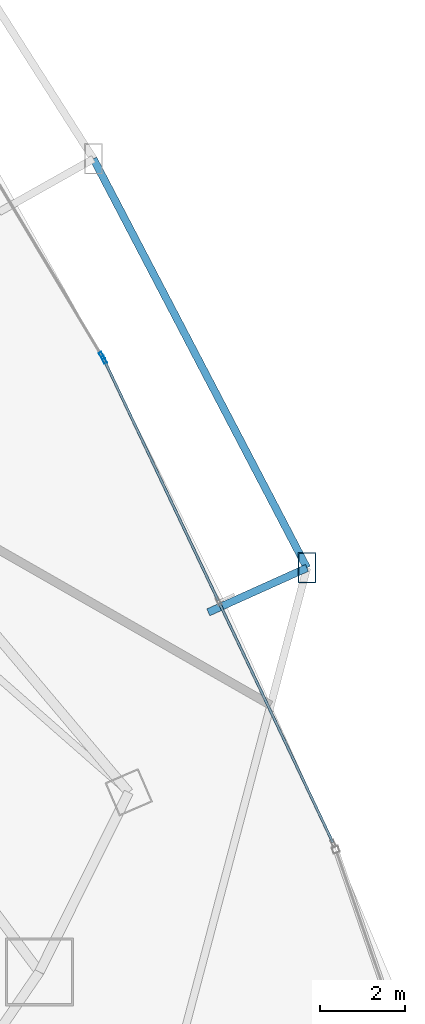
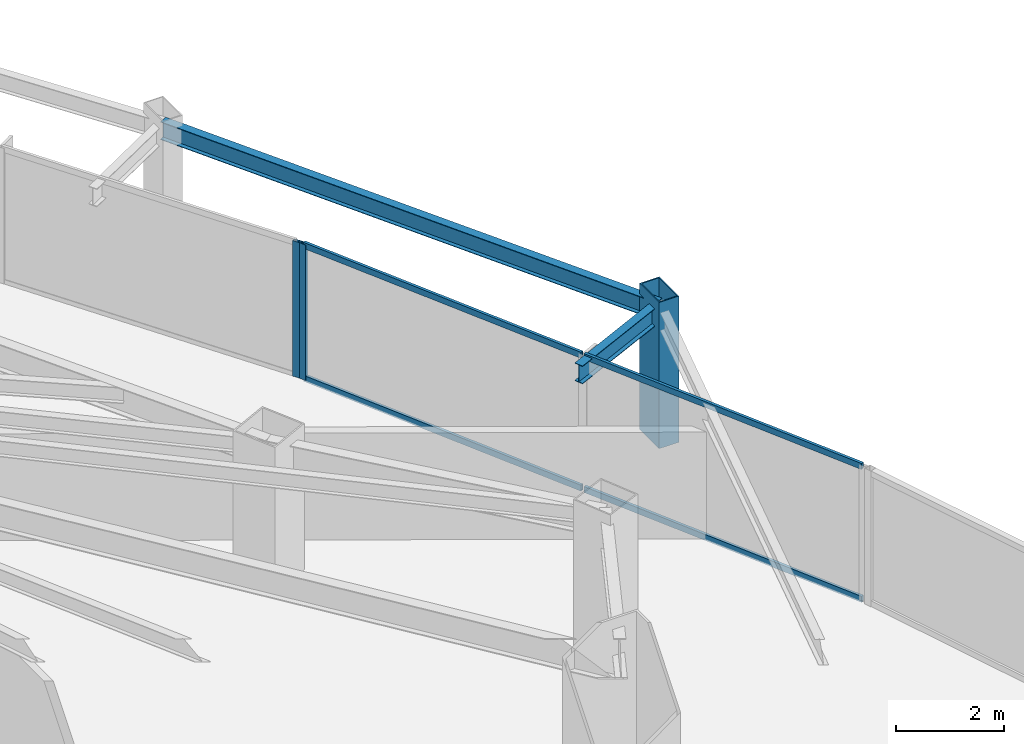
# One storey, part 21 of 37: 7 members, 2 beams, 2 elements without a shape of their own.
"""IFC4 building model written with IfcOpenShell, lengths in metres."""

from ifc_helpers import new_model, si_unit, direction, frame, origin, origin_2d, place, context, subcontext, project, spatial, hollow_rectangle, i_section, extrude, material, layer, layer_set, material_profile, profile_set, type_object, element, aggregate, save


model = new_model("IFC4")

# Units and contexts
model_context = context("Model", 3, precision=1e-05, world=origin(), true_north=direction((0.0, 1.0)))
body_context = subcontext(model_context, "Body", "Model", "MODEL_VIEW")
ifc_project = project(units=[si_unit("LENGTHUNIT", "METRE"), si_unit("AREAUNIT", "SQUARE_METRE"), si_unit("VOLUMEUNIT", "CUBIC_METRE"), si_unit("PLANEANGLEUNIT", "RADIAN"), si_unit("MASSUNIT", "GRAM", prefix="KILO")], contexts=[model_context])

# Site, building, storey
site_placement = place(None, origin())
site = spatial("IfcSite", under=ifc_project, at=site_placement, CompositionType="ELEMENT")
building_placement = place(site_placement, origin())
building = spatial("IfcBuilding", under=site, at=building_placement, Name="Orvanel Arch Residences", CompositionType="ELEMENT")
storey_placement = place(building_placement, frame((0.0, 0.0, 53.300048828125)))
storey = spatial("IfcBuildingStorey", under=building, at=storey_placement, Name="L14", CompositionType="ELEMENT", Elevation=53.300048828125)

# Member
ifc_material_1 = material(Name="Structural steel AS/NZS 3678 Grade 350", Category="steel")
ifc_material_profile_1 = material_profile(ifc_material_1, hollow_rectangle(XDim=0.419921875, YDim=0.719970703125, WallThickness=0.02490234375, at=origin_2d()), Name="RHS720x420x25")
ifc_profile_set_1 = profile_set([ifc_material_profile_1], Name="Structural steel AS/NZS 3678 Grade 350")
member_type_1 = type_object("IfcMemberType", Name="CH-720RHS-EXT", PredefinedType="CHORD", material=ifc_profile_set_1)
member_1_placement = place(storey_placement, frame((58.10302734375, 19.865966796875, 0.0), z_axis=(0.0, 0.0, 1.0), x_axis=(1.0, 0.0, 0.0)))
element("IfcMember", 1, at=member_1_placement, inside=storey, type_object=member_type_1, Name="L14 Outer Perimeter Frame Post 09", PredefinedType="CHORD", context=body_context, shape_type="SweptSolid", body=[
    extrude(hollow_rectangle(XDim=0.419921875, YDim=0.719970703125, WallThickness=0.02490234375, at=origin_2d()), origin(), (0.0, 0.0, 1.0), 3.300048828125),
])

# Curtain wall, member
ifc_material_2 = material(Name="Bronze-anodised aluminium AA6063-T6", Category="aluminium")
ifc_layer = layer(ifc_material_2, 0.179931640625)
ifc_layer_set = layer_set([ifc_layer], Name="Bronze-anodised aluminium AA6063-T6")
curtain_wall_type = type_object("IfcCurtainWallType", Name="CW2-LOW-SYS", PredefinedType="NOTDEFINED", material=ifc_layer_set)
curtain_wall_1_placement = place(storey_placement, origin())
curtain_wall_1 = element("IfcCurtainWall", 2, at=curtain_wall_1_placement, inside=storey, type_object=curtain_wall_type, Name="L14 CW2-LOW-SYS Unitised Curtain Wall", PredefinedType="NOTDEFINED")
ifc_material_profile_2 = material_profile(ifc_material_2, hollow_rectangle(XDim=0.070068359375, YDim=0.179931640625, WallThickness=0.00439453125, at=origin_2d()), Name="ALU180x70x4.5")
ifc_profile_set_2 = profile_set([ifc_material_profile_2], Name="Bronze-anodised aluminium AA6063-T6")
member_type_2 = type_object("IfcMemberType", Name="MUL-180x70", PredefinedType="MULLION", material=ifc_profile_set_2)
member_2_placement = place(storey_placement, frame((53.322998046875, 24.770263671875, 0.0), z_axis=(0.0, 0.0, 1.0), x_axis=(-0.903672014466, -0.428225279813, 0.0)))
member_2 = element("IfcMember", 3, at=member_2_placement, type_object=member_type_2, Name="CW-S2 mullion 3", PredefinedType="MULLION", context=body_context, shape_type="SweptSolid", body=[
    extrude(hollow_rectangle(XDim=0.070068359375, YDim=0.179931640625, WallThickness=0.00439453125, at=origin_2d()), origin(), (0.0, 0.0, 1.0), 3.06005859375),
])

curtain_wall_2_placement = place(storey_placement, origin())
curtain_wall_2 = element("IfcCurtainWall", 4, at=curtain_wall_2_placement, inside=storey, type_object=curtain_wall_type, Name="L14 CW2-LOW-SYS Unitised Curtain Wall", PredefinedType="NOTDEFINED")
member_3_placement = place(storey_placement, frame((53.27099609375, 24.866943359375, 0.0), z_axis=(0.0, 0.0, 1.0), x_axis=(-0.857569793125, -0.514367621375, 0.0)))
member_3 = element("IfcMember", 5, at=member_3_placement, type_object=member_type_2, Name="CW-S2 mullion 1", PredefinedType="MULLION", context=body_context, shape_type="SweptSolid", body=[
    extrude(hollow_rectangle(XDim=0.070068359375, YDim=0.179931640625, WallThickness=0.00439453125, at=origin_2d()), origin(), (0.0, 0.0, 1.0), 3.06005859375),
])
aggregate(curtain_wall_2, [member_3])

# Beams
ifc_material_3 = material(Name="Structural steel AS/NZS 3679.1 Grade 300 (300 MPa)", Category="steel")
ifc_material_profile_3 = material_profile(ifc_material_3, i_section(OverallWidth=0.177978515625, OverallDepth=0.406005859375, WebThickness=0.0078125, FlangeThickness=0.0126953125, at=origin_2d()), Name="410UB59.7")
ifc_profile_set_3 = profile_set([ifc_material_profile_3], Name="Structural steel AS/NZS 3679.1 Grade 300 (300 MPa)")
beam_type = type_object("IfcBeamType", Name="OB-410UB-EXT", PredefinedType="SPANDREL", material=ifc_profile_set_3)
beam_1_placement = place(storey_placement, frame((55.778076171875, 18.819091796875, 2.85693359375), z_axis=(0.911826527096, 0.410575674492, 0.0), x_axis=(-0.410575674492, 0.911826527096, 0.0)))
element("IfcBeam", 6, at=beam_1_placement, inside=storey, type_object=beam_type, Name="L14 Outer Frame Radial Tie Beam 09", PredefinedType="SPANDREL", context=body_context, shape_type="SweptSolid", body=[
    extrude(i_section(OverallWidth=0.177978515625, OverallDepth=0.406005859375, WebThickness=0.0078125, FlangeThickness=0.0126953125, at=origin_2d()), origin(), (0.0, 0.0, 1.0), 2.5498046875),
])
beam_2_placement = place(storey_placement, frame((58.10302734375, 19.865966796875, 2.85693359375), z_axis=(-0.462717233651, 0.886505928735, 0.0), x_axis=(-0.886505928735, -0.462717233651, 0.0)))
element("IfcBeam", 7, at=beam_2_placement, inside=storey, type_object=beam_type, Name="L14 Outer Perimeter Floor Ring Beam 09", PredefinedType="SPANDREL", context=body_context, shape_type="SweptSolid", body=[
    extrude(i_section(OverallWidth=0.177978515625, OverallDepth=0.406005859375, WebThickness=0.0078125, FlangeThickness=0.0126953125, at=origin_2d()), origin(), (0.0, 0.0, 1.0), 10.868408203125),
])

# Member
ifc_material_profile_4 = material_profile(ifc_material_2, hollow_rectangle(XDim=0.06005859375, YDim=0.135009765625, WallThickness=0.00390625, at=origin_2d()), Name="ALU135x60x4")
ifc_profile_set_4 = profile_set([ifc_material_profile_4], Name="Bronze-anodised aluminium AA6063-T6")
member_type_3 = type_object("IfcMemberType", Name="TRN-135x60", PredefinedType="USERDEFINED", material=ifc_profile_set_4)
member_4_placement = place(storey_placement, frame((58.7099609375, 13.40234375, 0.030029296875), z_axis=(-0.428215899321, 0.903676459563, 0.0), x_axis=(-0.903676459563, -0.428215899321, 0.0)))
member_4 = element("IfcMember", 8, at=member_4_placement, type_object=member_type_3, Name="CW-S2 transom 1.1", ObjectType="TRANSOM", PredefinedType="USERDEFINED", context=body_context, shape_type="SweptSolid", body=[
    extrude(hollow_rectangle(XDim=0.06005859375, YDim=0.135009765625, WallThickness=0.00390625, at=origin_2d()), origin(), (0.0, 0.0, 1.0), 6.2373046875),
])

member_5_placement = place(storey_placement, frame((58.7099609375, 13.40234375, 3.030029296875), z_axis=(-0.428215899321, 0.903676459563, 0.0), x_axis=(-0.903676459563, -0.428215899321, 0.0)))
member_5 = element("IfcMember", 9, at=member_5_placement, type_object=member_type_3, Name="CW-S2 transom 1.2", ObjectType="TRANSOM", PredefinedType="USERDEFINED", context=body_context, shape_type="SweptSolid", body=[
    extrude(hollow_rectangle(XDim=0.06005859375, YDim=0.135009765625, WallThickness=0.00390625, at=origin_2d()), origin(), (0.0, 0.0, 1.0), 6.2373046875),
])

member_6_placement = place(storey_placement, frame((56.009033203125, 19.10205078125, 0.030029296875), z_axis=(-0.428232716315, 0.903668490475, 0.0), x_axis=(-0.903668490475, -0.428232716315, 0.0)))
member_6 = element("IfcMember", 10, at=member_6_placement, type_object=member_type_3, Name="CW-S2 transom 2.1", ObjectType="TRANSOM", PredefinedType="USERDEFINED", context=body_context, shape_type="SweptSolid", body=[
    extrude(hollow_rectangle(XDim=0.06005859375, YDim=0.135009765625, WallThickness=0.00390625, at=origin_2d()), origin(), (0.0, 0.0, 1.0), 6.237548828125),
])

member_7_placement = place(storey_placement, frame((56.009033203125, 19.10205078125, 3.030029296875), z_axis=(-0.428232716315, 0.903668490475, 0.0), x_axis=(-0.903668490475, -0.428232716315, 0.0)))
member_7 = element("IfcMember", 11, at=member_7_placement, type_object=member_type_3, Name="CW-S2 transom 2.2", ObjectType="TRANSOM", PredefinedType="USERDEFINED", context=body_context, shape_type="SweptSolid", body=[
    extrude(hollow_rectangle(XDim=0.06005859375, YDim=0.135009765625, WallThickness=0.00390625, at=origin_2d()), origin(), (0.0, 0.0, 1.0), 6.237548828125),
])

aggregate(curtain_wall_1, [member_2, member_4, member_5, member_6, member_7])

save(model, "model.ifc")
